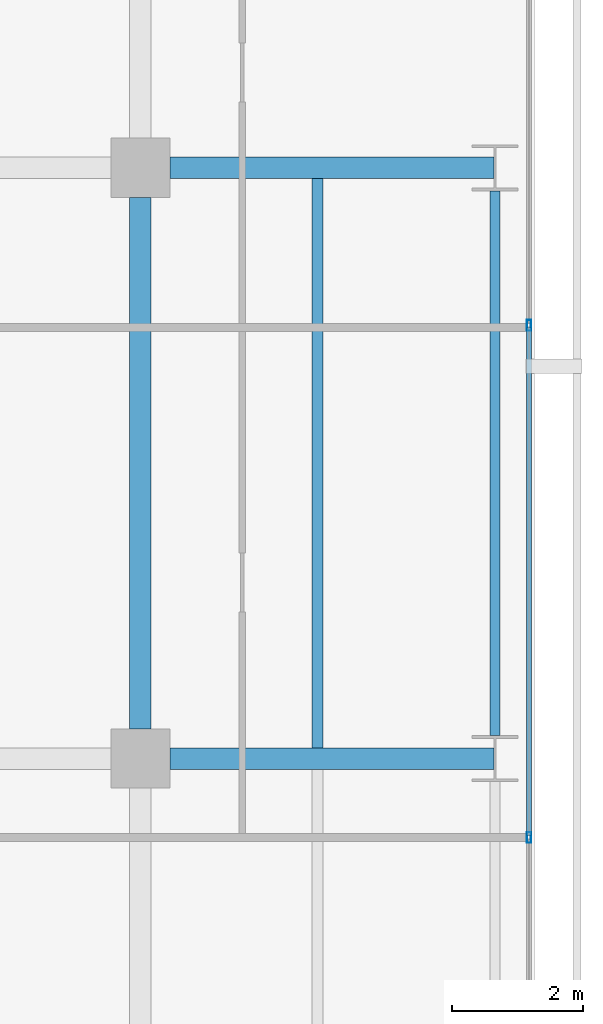
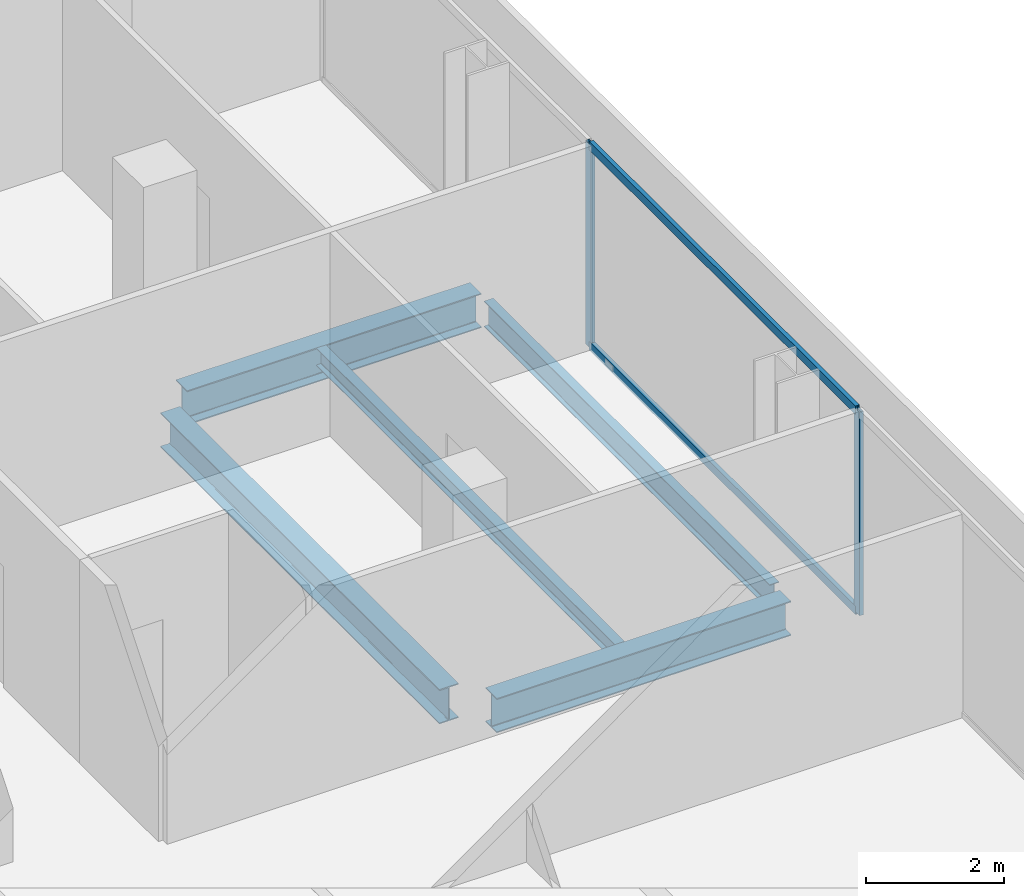
# One storey, part 28 of 40: 5 beams, 4 members, 1 element without a shape of its own.
"""IFC4 building model written with IfcOpenShell, lengths in metres."""

from ifc_helpers import new_model, si_unit, direction, frame, origin, origin_2d, place, context, subcontext, project, spatial, hollow_rectangle, i_section, extrude, material, layer, layer_set, material_profile, profile_set, type_object, element, aggregate, save


model = new_model("IFC4")

# Units and contexts
model_context = context("Model", 3, precision=1e-05, world=origin(), true_north=direction((0.0, 1.0)))
body_context = subcontext(model_context, "Body", "Model", "MODEL_VIEW")
ifc_project = project(units=[si_unit("LENGTHUNIT", "METRE"), si_unit("AREAUNIT", "SQUARE_METRE"), si_unit("VOLUMEUNIT", "CUBIC_METRE"), si_unit("PLANEANGLEUNIT", "RADIAN"), si_unit("MASSUNIT", "GRAM", prefix="KILO")], contexts=[model_context])

# Site, building, storey
site_placement = place(None, origin())
site = spatial("IfcSite", under=ifc_project, at=site_placement, CompositionType="ELEMENT")
building_placement = place(site_placement, origin())
building = spatial("IfcBuilding", under=site, at=building_placement, Name="Maruvema Waterfront Hotel and Observation Tower", CompositionType="ELEMENT")
storey_placement = place(building_placement, frame((0.0, 0.0, 88.550048828125)))
storey = spatial("IfcBuildingStorey", under=building, at=storey_placement, Name="L21", CompositionType="ELEMENT", Elevation=88.550048828125)

# Curtain wall, members
ifc_material_1 = material(Name="Anodised bronze aluminium and solar-control low-E IGU", Category="aluminium")
ifc_layer = layer(ifc_material_1, 0.159912109375, Name="Zone 1 Bronze Inner Thermal Curtain Wall System CW-02")
ifc_layer_set = layer_set([ifc_layer], Name="Anodised bronze aluminium and solar-control low-E IGU")
curtain_wall_type = type_object("IfcCurtainWallType", Name="Zone 1 Bronze Inner Thermal Curtain Wall System CW-02", PredefinedType="USERDEFINED", material=ifc_layer_set)
curtain_wall_placement = place(storey_placement, origin())
curtain_wall = element("IfcCurtainWall", 1, at=curtain_wall_placement, inside=storey, type_object=curtain_wall_type, Name="L21 Curtain Wall CW-L21-E", ObjectType="UNITISED CURTAIN WALL", PredefinedType="USERDEFINED")
ifc_material_2 = material(Name="Anodised architectural bronze aluminium", Category="aluminium")
ifc_material_profile_1 = material_profile(ifc_material_2, hollow_rectangle(XDim=0.070068359375, YDim=0.14990234375, WallThickness=0.00390625, at=origin_2d()), Name="ALU-T70x150")
ifc_profile_set_1 = profile_set([ifc_material_profile_1], Name="Anodised architectural bronze aluminium")
member_type_1 = type_object("IfcMemberType", Name="Curtain Wall Horizontal Transom ALU-T70x150", PredefinedType="USERDEFINED", material=ifc_profile_set_1)
member_1_placement = place(storey_placement, frame((64.719970703125, 34.830078125, 0.030029296875), z_axis=(0.0, 1.0, 0.0), x_axis=(-1.0, 0.0, 0.0)))
member_1 = element("IfcMember", 2, at=member_1_placement, type_object=member_type_1, Name="CW-02 transom 5.1", ObjectType="TRANSOM", PredefinedType="USERDEFINED", context=body_context, shape_type="SweptSolid", body=[
    extrude(hollow_rectangle(XDim=0.070068359375, YDim=0.14990234375, WallThickness=0.00390625, at=origin_2d()), origin(), (0.0, 0.0, 1.0), 7.739990234375),
])
member_2_placement = place(storey_placement, frame((64.719970703125, 34.830078125, 3.579833984375), z_axis=(0.0, 1.0, 0.0), x_axis=(-1.0, 0.0, 0.0)))
member_2 = element("IfcMember", 3, at=member_2_placement, type_object=member_type_1, Name="CW-02 transom 5.2", ObjectType="TRANSOM", PredefinedType="USERDEFINED", context=body_context, shape_type="SweptSolid", body=[
    extrude(hollow_rectangle(XDim=0.070068359375, YDim=0.14990234375, WallThickness=0.00390625, at=origin_2d()), origin(), (0.0, 0.0, 1.0), 7.739990234375),
])
ifc_material_3 = material(Name="Anodised architectural bronze aluminium", Category="aluminium")
ifc_material_profile_2 = material_profile(ifc_material_3, hollow_rectangle(XDim=0.06494140625, YDim=0.1650390625, WallThickness=0.00390625, at=origin_2d()), Name="ALU-M65x165")
ifc_profile_set_2 = profile_set([ifc_material_profile_2], Name="Anodised architectural bronze aluminium")
member_type_2 = type_object("IfcMemberType", Name="Curtain Wall Primary Mullion ALU-M65x165", PredefinedType="MULLION", material=ifc_profile_set_2)
member_3_placement = place(storey_placement, frame((64.719970703125, 34.800048828125, 0.0), z_axis=(0.0, 0.0, 1.0), x_axis=(-1.0, 0.0, 0.0)))
member_3 = element("IfcMember", 4, at=member_3_placement, type_object=member_type_2, Name="CW-02 mullion 5", PredefinedType="MULLION", context=body_context, shape_type="SweptSolid", body=[
    extrude(hollow_rectangle(XDim=0.06494140625, YDim=0.1650390625, WallThickness=0.00390625, at=origin_2d()), origin(), (0.0, 0.0, 1.0), 3.60986328125),
])
member_4_placement = place(storey_placement, frame((64.719970703125, 42.60009765625, 0.0), z_axis=(0.0, 0.0, 1.0), x_axis=(-1.0, 0.0, 0.0)))
member_4 = element("IfcMember", 5, at=member_4_placement, type_object=member_type_2, Name="CW-02 mullion 6", PredefinedType="MULLION", context=body_context, shape_type="SweptSolid", body=[
    extrude(hollow_rectangle(XDim=0.06494140625, YDim=0.1650390625, WallThickness=0.00390625, at=origin_2d()), origin(), (0.0, 0.0, 1.0), 3.60986328125),
])
aggregate(curtain_wall, [member_3, member_4, member_1, member_2])

# Beams
ifc_material_4 = material(Name="Steel ASTM A572 Grade 50", Category="steel")
ifc_material_profile_3 = material_profile(ifc_material_4, i_section(OverallWidth=0.153076171875, OverallDepth=0.455078125, WebThickness=0.008056640625, FlangeThickness=0.01318359375, FilletRadius=0.014892578125, at=origin_2d()), Name="W460x60.0")
ifc_profile_set_3 = profile_set([ifc_material_profile_3], Name="Steel ASTM A572 Grade 50")
beam_type_1 = type_object("IfcBeamType", Name="Perimeter Spandrel Beam W460x60.0", PredefinedType="SPANDREL", material=ifc_profile_set_3)
beam_1_placement = place(storey_placement, frame((64.199951171875, 36.35009765625, -0.467529296875), z_axis=(0.0, 1.0, 0.0), x_axis=(-1.0, 0.0, 0.0)))
element("IfcBeam", 6, at=beam_1_placement, inside=storey, type_object=beam_type_1, Name="L21 Floor Girder NS-36", PredefinedType="SPANDREL", context=body_context, shape_type="SweptSolid", body=[
    extrude(i_section(OverallWidth=0.153076171875, OverallDepth=0.455078125, WebThickness=0.008056640625, FlangeThickness=0.01318359375, FilletRadius=0.014892578125, at=origin_2d()), origin(), (0.0, 0.0, 1.0), 8.2998046875),
])
ifc_material_5 = material(Name="Steel ASTM A572 Grade 50", Category="steel")
ifc_material_profile_4 = material_profile(ifc_material_5, i_section(OverallWidth=0.323974609375, OverallDepth=0.611083984375, WebThickness=0.0126953125, FlangeThickness=0.01904296875, FilletRadius=0.01806640625, at=origin_2d()), Name="W610x155.0")
ifc_profile_set_4 = profile_set([ifc_material_profile_4], Name="Steel ASTM A572 Grade 50")
beam_type_2 = type_object("IfcBeamType", Name="Primary Floor Girder W610x155.0", PredefinedType="BEAM", material=ifc_profile_set_4)
for number, where, z_axis, x_axis, name in (
    (7, (59.25, 36.0, -0.545654296875), (1.0, 0.0, 0.0), (0.0, 1.0, 0.0), "L21 Floor Girder EW-31"),
    (8, (59.25, 45.0, -0.545654296875), (1.0, 0.0, 0.0), (0.0, 1.0, 0.0), "L21 Floor Girder EW-35"),
):
    element("IfcBeam", number, at=place(storey_placement, frame(where, z_axis=z_axis, x_axis=x_axis)), inside=storey, type_object=beam_type_2, Name=name, PredefinedType="BEAM", context=body_context, shape_type="SweptSolid", body=[
        extrude(i_section(OverallWidth=0.323974609375, OverallDepth=0.611083984375, WebThickness=0.0126953125, FlangeThickness=0.01904296875, FilletRadius=0.01806640625, at=origin_2d()), origin(), (0.0, 0.0, 1.0), 4.93603515625),
    ])
beam_2_placement = place(storey_placement, frame((58.800048828125, 36.449951171875, -0.545654296875), z_axis=(0.0, 1.0, 0.0), x_axis=(-1.0, 0.0, 0.0)))
element("IfcBeam", 9, at=beam_2_placement, inside=storey, type_object=beam_type_2, Name="L21 Floor Girder NS-31", PredefinedType="BEAM", context=body_context, shape_type="SweptSolid", body=[
    extrude(i_section(OverallWidth=0.323974609375, OverallDepth=0.611083984375, WebThickness=0.0126953125, FlangeThickness=0.01904296875, FilletRadius=0.01806640625, at=origin_2d()), origin(), (0.0, 0.0, 1.0), 8.10009765625),
])
ifc_material_6 = material(Name="Steel ASTM A572 Grade 50", Category="steel")
ifc_material_profile_5 = material_profile(ifc_material_6, i_section(OverallWidth=0.1650390625, OverallDepth=0.31005859375, WebThickness=0.005859375, FlangeThickness=0.009765625, FilletRadius=0.012939453125, at=origin_2d()), Name="W310x38.7")
ifc_profile_set_5 = profile_set([ifc_material_profile_5], Name="Steel ASTM A572 Grade 50")
beam_type_3 = type_object("IfcBeamType", Name="Secondary Floor Joist W310x38.7", PredefinedType="JOIST", material=ifc_profile_set_5)
beam_3_placement = place(storey_placement, frame((61.5, 36.162109375, -0.39501953125), z_axis=(0.0, 1.0, 0.0), x_axis=(-1.0, 0.0, 0.0)))
element("IfcBeam", 10, at=beam_3_placement, inside=storey, type_object=beam_type_3, Name="L21 Secondary Floor Joist JS-24", PredefinedType="JOIST", context=body_context, shape_type="SweptSolid", body=[
    extrude(i_section(OverallWidth=0.1650390625, OverallDepth=0.31005859375, WebThickness=0.005859375, FlangeThickness=0.009765625, FilletRadius=0.012939453125, at=origin_2d()), origin(), (0.0, 0.0, 1.0), 8.67578125),
])

save(model, "model.ifc")
